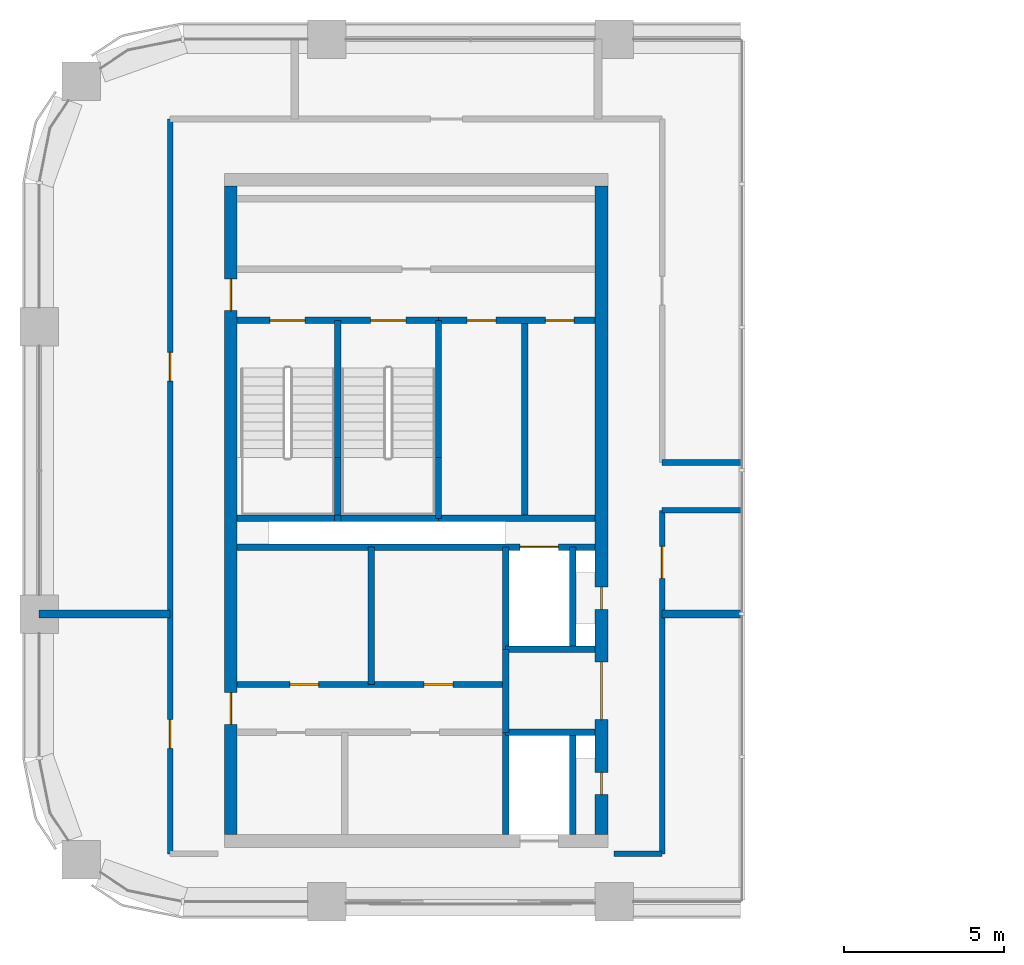
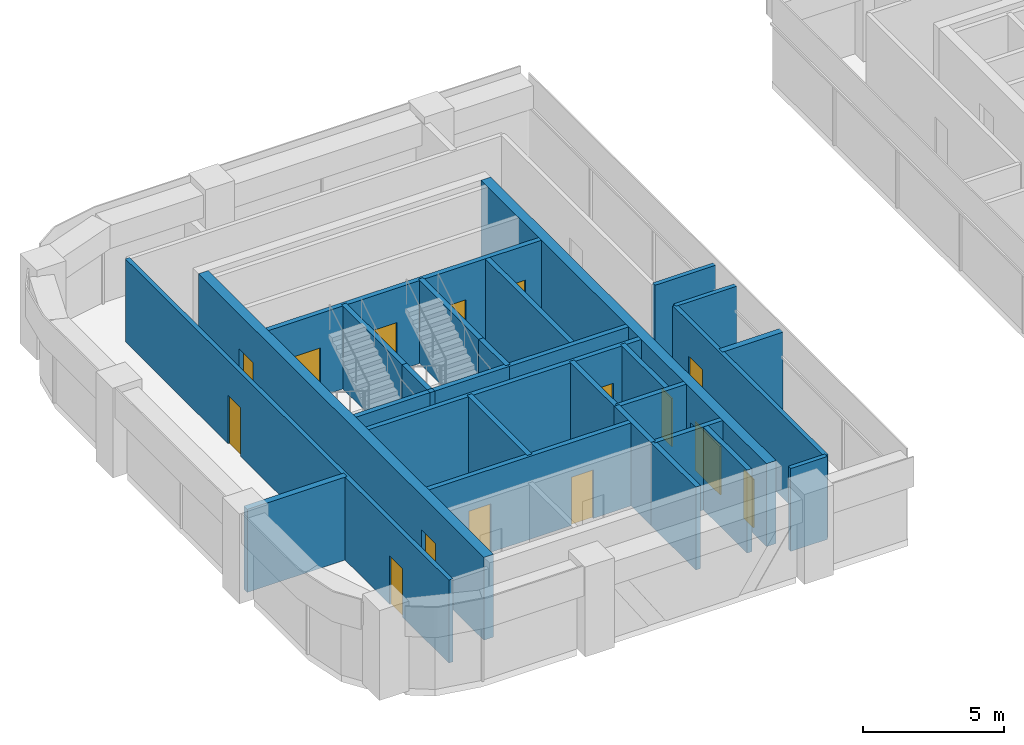
# One storey, part 6 of 11: 30 walls, 15 doors, 15 openings.
"""IFC4 building model written with IfcOpenShell, lengths in metres."""

from ifc_helpers import new_model, si_unit, direction, frame, frame_2d, origin, place, context, subcontext, project, spatial, rectangle, extrude, material, layer, layer_set, type_object, element, fill, save


model = new_model("IFC4")

# Units and contexts
model_context = context("Model", 3, precision=1e-05, world=origin(), true_north=direction((0.0, 1.0)))
body_context = subcontext(model_context, "Body", "Model", "MODEL_VIEW")
ifc_project = project(units=[si_unit("LENGTHUNIT", "METRE"), si_unit("AREAUNIT", "SQUARE_METRE"), si_unit("VOLUMEUNIT", "CUBIC_METRE"), si_unit("PLANEANGLEUNIT", "RADIAN"), si_unit("MASSUNIT", "GRAM", prefix="KILO")], contexts=[model_context])

# Site, building, storey
site_placement = place(None, origin())
site = spatial("IfcSite", under=ifc_project, at=site_placement, CompositionType="ELEMENT")
building_placement = place(site_placement, origin())
building = spatial("IfcBuilding", under=site, at=building_placement, Name="Tessera Arch", CompositionType="ELEMENT")
storey_placement = place(building_placement, frame((0.0, 0.0, 211.10009765625)))
storey = spatial("IfcBuildingStorey", under=building, at=storey_placement, Name="L50", CompositionType="ELEMENT", Elevation=211.10009765625)

# Walls
ifc_material_1 = material(Name="Gypsum board on steel stud", Category="steel")
ifc_layer_1 = layer(ifc_material_1, 0.125)
ifc_layer_set_1 = layer_set([ifc_layer_1], Name="Core partition 125 EI 60")
wall_type_1 = type_object("IfcWallType", Name="Core partition 125 EI 60", PredefinedType="PARTITIONING", material=ifc_layer_set_1)
wall_1_placement = place(storey_placement, frame((10.39990234375, 33.800048828125, 0.0), z_axis=(0.0, 0.0, 1.0), x_axis=(0.0, 1.0, 0.0)))
element("IfcWall", 1, at=wall_1_placement, inside=storey, type_object=wall_type_1, Name="L50 C2 partition wall 4", PredefinedType="PARTITIONING", context=body_context, shape_type="SweptSolid", body=[
    extrude(rectangle(XDim=4.300048828125, YDim=0.199951171875, at=frame_2d((2.14990234375, 0.0))), origin(), (0.0, 0.0, 1.0), 3.599853515625),
])
wall_2_placement = place(storey_placement, frame((14.60009765625, 32.300048828125, 0.0), z_axis=(0.0, 0.0, 1.0), x_axis=(0.0, 1.0, 0.0)))
element("IfcWall", 2, at=wall_2_placement, inside=storey, type_object=wall_type_1, Name="L50 C2 partition wall 7", PredefinedType="PARTITIONING", context=body_context, shape_type="SweptSolid", body=[
    extrude(rectangle(XDim=2.599853515625, YDim=0.199951171875, at=frame_2d((1.2998046875, 0.0))), origin(), (0.0, 0.0, 1.0), 3.599853515625),
])
wall_3_placement = place(storey_placement, frame((15.195068359375, 39.0, 0.0), z_axis=(0.0, 0.0, 1.0), x_axis=(0.0, 1.0, 0.0)))
element("IfcWall", 3, at=wall_3_placement, inside=storey, type_object=wall_type_1, Name="L50 C2 partition wall 10", PredefinedType="PARTITIONING", context=body_context, shape_type="SweptSolid", body=[
    extrude(rectangle(XDim=6.199951171875, YDim=0.199951171875, at=frame_2d((3.10009765625, 0.0))), origin(), (0.0, 0.0, 1.0), 3.599853515625),
])

# Wall, openings, doors
wall_4_placement = place(storey_placement, frame((6.199951171875, 33.800048828125, 0.0), z_axis=(0.0, 0.0, 1.0), x_axis=(1.0, 0.0, 0.0)))
wall_4 = element("IfcWall", 4, at=wall_4_placement, inside=storey, type_object=wall_type_1, Name="L50 C2 partition wall 15", PredefinedType="PARTITIONING", context=body_context, shape_type="SweptSolid", body=[
    extrude(rectangle(XDim=8.400146484375, YDim=0.199951171875, at=frame_2d((4.2001953125, 0.0))), origin(), (0.0, 0.0, 1.0), 3.599853515625),
])
opening_1_placement = place(wall_4_placement, frame((1.64990234375, 0.0, 0.0)))
opening_1 = element("IfcOpeningElement", 5, at=opening_1_placement, cuts=wall_4, Name="Opening L50-C34", PredefinedType="OPENING", context=body_context, shape_type="SweptSolid", body=[
    extrude(rectangle(XDim=0.89990234375, YDim=2.10009765625, at=frame_2d((0.449951171875, 1.050048828125))), frame((0.0, 0.10986328125, 0.0), z_axis=(0.0, -1.0, 0.0), x_axis=(1.0, 0.0, 0.0)), (0.0, 0.0, 1.0), 0.219970703125),
])
opening_2_placement = place(wall_4_placement, frame((5.85009765625, 0.0, 0.0)))
opening_2 = element("IfcOpeningElement", 6, at=opening_2_placement, cuts=wall_4, Name="Opening L50-C35", PredefinedType="OPENING", context=body_context, shape_type="SweptSolid", body=[
    extrude(rectangle(XDim=0.89990234375, YDim=2.10009765625, at=frame_2d((0.449951171875, 1.050048828125))), frame((0.0, 0.10986328125, 0.0), z_axis=(0.0, -1.0, 0.0), x_axis=(1.0, 0.0, 0.0)), (0.0, 0.0, 1.0), 0.219970703125),
])
ifc_material_2 = material(Name="Steel door leaf", Category="steel")
door_type_1 = type_object("IfcDoorType", Name="Store door FD30S 900 x 2100", OperationType="SINGLE_SWING_LEFT", PredefinedType="DOOR", material=ifc_material_2)
door_1_placement = place(opening_1_placement, origin())
door_1 = element("IfcDoor", 7, at=door_1_placement, inside=storey, type_object=door_type_1, Name="L50 C2 door 15 C34 type D09", OperationType="SINGLE_SWING_LEFT", OverallHeight=2.10009765625, OverallWidth=0.89990234375, PredefinedType="DOOR", context=body_context, shape_type="SweptSolid", body=[
    extrude(rectangle(XDim=0.89990234375, YDim=2.10009765625, at=frame_2d((0.449951171875, 1.050048828125))), frame((0.0, 0.02490234375, 0.0), z_axis=(0.0, -1.0, 0.0), x_axis=(1.0, 0.0, 0.0)), (0.0, 0.0, 1.0), 0.050048828125),
])
fill(opening_1, door_1)
door_2_placement = place(opening_2_placement, origin())
door_2 = element("IfcDoor", 8, at=door_2_placement, inside=storey, type_object=door_type_1, Name="L50 C2 door 16 C35 type D09", OperationType="SINGLE_SWING_RIGHT", OverallHeight=2.10009765625, OverallWidth=0.89990234375, PredefinedType="DOOR", context=body_context, shape_type="SweptSolid", body=[
    extrude(rectangle(XDim=0.89990234375, YDim=2.10009765625, at=frame_2d((0.449951171875, 1.050048828125))), frame((0.0, 0.02490234375, 0.0), z_axis=(0.0, -1.0, 0.0), x_axis=(1.0, 0.0, 0.0)), (0.0, 0.0, 1.0), 0.050048828125),
])
fill(opening_2, door_2)

wall_5_placement = place(storey_placement, frame((12.5, 45.199951171875, 0.0), z_axis=(0.0, 0.0, 1.0), x_axis=(1.0, 0.0, 0.0)))
wall_5 = element("IfcWall", 9, at=wall_5_placement, inside=storey, type_object=wall_type_1, Name="L50 C2 partition wall 22", PredefinedType="PARTITIONING", context=body_context, shape_type="SweptSolid", body=[
    extrude(rectangle(XDim=4.89990234375, YDim=0.199951171875, at=frame_2d((2.449951171875, 0.0))), origin(), (0.0, 0.0, 1.0), 3.599853515625),
])
opening_3_placement = place(wall_5_placement, frame((0.8974609375, 0.0, 0.0)))
opening_3 = element("IfcOpeningElement", 10, at=opening_3_placement, cuts=wall_5, Name="Opening L50-C30", PredefinedType="OPENING", context=body_context, shape_type="SweptSolid", body=[
    extrude(rectangle(XDim=0.89990234375, YDim=2.10009765625, at=frame_2d((0.449951171875, 1.050048828125))), frame((0.0, 0.10986328125, 0.0), z_axis=(0.0, -1.0, 0.0), x_axis=(1.0, 0.0, 0.0)), (0.0, 0.0, 1.0), 0.219970703125),
])
opening_4_placement = place(wall_5_placement, frame((3.347412109375, 0.0, 0.0)))
opening_4 = element("IfcOpeningElement", 11, at=opening_4_placement, cuts=wall_5, Name="Opening L50-C31", PredefinedType="OPENING", context=body_context, shape_type="SweptSolid", body=[
    extrude(rectangle(XDim=0.89990234375, YDim=2.10009765625, at=frame_2d((0.449951171875, 1.050048828125))), frame((0.0, 0.10986328125, 0.0), z_axis=(0.0, -1.0, 0.0), x_axis=(1.0, 0.0, 0.0)), (0.0, 0.0, 1.0), 0.219970703125),
])
door_3_placement = place(opening_3_placement, origin())
door_3 = element("IfcDoor", 12, at=door_3_placement, inside=storey, type_object=door_type_1, Name="L50 C2 door 11 C30 type D09", OperationType="SINGLE_SWING_LEFT", OverallHeight=2.10009765625, OverallWidth=0.89990234375, PredefinedType="DOOR", context=body_context, shape_type="SweptSolid", body=[
    extrude(rectangle(XDim=0.89990234375, YDim=2.10009765625, at=frame_2d((0.449951171875, 1.050048828125))), frame((0.0, 0.02490234375, 0.0), z_axis=(0.0, -1.0, 0.0), x_axis=(1.0, 0.0, 0.0)), (0.0, 0.0, 1.0), 0.050048828125),
])
fill(opening_3, door_3)
door_4_placement = place(opening_4_placement, origin())
door_4 = element("IfcDoor", 13, at=door_4_placement, inside=storey, type_object=door_type_1, Name="L50 C2 door 12 C31 type D09", OperationType="SINGLE_SWING_RIGHT", OverallHeight=2.10009765625, OverallWidth=0.89990234375, PredefinedType="DOOR", context=body_context, shape_type="SweptSolid", body=[
    extrude(rectangle(XDim=0.89990234375, YDim=2.10009765625, at=frame_2d((0.449951171875, 1.050048828125))), frame((0.0, 0.02490234375, 0.0), z_axis=(0.0, -1.0, 0.0), x_axis=(1.0, 0.0, 0.0)), (0.0, 0.0, 1.0), 0.050048828125),
])
fill(opening_4, door_4)

ifc_material_3 = material(Name="Concrete C50/60", Category="concrete")
ifc_layer_2 = layer(ifc_material_3, 0.39990234375)
ifc_layer_set_2 = layer_set([ifc_layer_2], Name="Core shell wall 400 C50-60")
wall_type_2 = type_object("IfcWallType", Name="Core shell wall 400 C50-60", PredefinedType="SHEAR", material=ifc_layer_set_2)
wall_6_placement = place(storey_placement, frame((6.0, 29.10009765625, 0.0), z_axis=(0.0, 0.0, 1.0), x_axis=(0.0, 1.0, 0.0)))
wall_6 = element("IfcWall", 14, at=wall_6_placement, inside=storey, type_object=wall_type_2, Name="L50 C2 core wall W", PredefinedType="SHEAR", context=body_context, shape_type="SweptSolid", body=[
    extrude(rectangle(XDim=20.2998046875, YDim=0.39990234375, at=frame_2d((10.14990234375, 0.0))), origin(), (0.0, 0.0, 1.0), 3.599853515625),
])
opening_5_placement = place(wall_6_placement, frame((3.449951171875, 0.0, 0.0)))
opening_5 = element("IfcOpeningElement", 15, at=opening_5_placement, cuts=wall_6, Name="Opening L50-C27", PredefinedType="OPENING", context=body_context, shape_type="SweptSolid", body=[
    extrude(rectangle(XDim=1.0, YDim=2.10009765625, at=frame_2d((0.5, 1.050048828125))), frame((0.0, 0.2099609375, 0.0), z_axis=(0.0, -1.0, 0.0), x_axis=(1.0, 0.0, 0.0)), (0.0, 0.0, 1.0), 0.419921875),
])
opening_6_placement = place(wall_6_placement, frame((16.39990234375, 0.0, 0.0)))
opening_6 = element("IfcOpeningElement", 16, at=opening_6_placement, cuts=wall_6, Name="Opening L50-C28", PredefinedType="OPENING", context=body_context, shape_type="SweptSolid", body=[
    extrude(rectangle(XDim=1.0, YDim=2.10009765625, at=frame_2d((0.5, 1.050048828125))), frame((0.0, 0.2099609375, 0.0), z_axis=(0.0, -1.0, 0.0), x_axis=(1.0, 0.0, 0.0)), (0.0, 0.0, 1.0), 0.419921875),
])
ifc_material_4 = material(Name="Steel door leaf", Category="steel")
door_type_2 = type_object("IfcDoorType", Name="Corridor door FD60 1000 x 2100", OperationType="SINGLE_SWING_LEFT", PredefinedType="DOOR", material=ifc_material_4)
door_5_placement = place(opening_5_placement, origin())
door_5 = element("IfcDoor", 17, at=door_5_placement, inside=storey, type_object=door_type_2, Name="L50 C2 door 8 C27 type D12", OperationType="SINGLE_SWING_LEFT", OverallHeight=2.10009765625, OverallWidth=1.0, PredefinedType="DOOR", context=body_context, shape_type="SweptSolid", body=[
    extrude(rectangle(XDim=1.0, YDim=2.10009765625, at=frame_2d((0.5, 1.050048828125))), frame((0.0, 0.02490234375, 0.0), z_axis=(0.0, -1.0, 0.0), x_axis=(1.0, 0.0, 0.0)), (0.0, 0.0, 1.0), 0.050048828125),
])
fill(opening_5, door_5)
door_6_placement = place(opening_6_placement, origin())
door_6 = element("IfcDoor", 18, at=door_6_placement, inside=storey, type_object=door_type_2, Name="L50 C2 door 9 C28 type D12", OperationType="SINGLE_SWING_RIGHT", OverallHeight=2.10009765625, OverallWidth=1.0, PredefinedType="DOOR", context=body_context, shape_type="SweptSolid", body=[
    extrude(rectangle(XDim=1.0, YDim=2.10009765625, at=frame_2d((0.5, 1.050048828125))), frame((0.0, 0.02490234375, 0.0), z_axis=(0.0, -1.0, 0.0), x_axis=(1.0, 0.0, 0.0)), (0.0, 0.0, 1.0), 0.050048828125),
])
fill(opening_6, door_6)

wall_7_placement = place(storey_placement, frame((17.60009765625, 29.10009765625, 0.0), z_axis=(0.0, 0.0, 1.0), x_axis=(0.0, 1.0, 0.0)))
wall_7 = element("IfcWall", 19, at=wall_7_placement, inside=storey, type_object=wall_type_2, Name="L50 C2 core wall E", PredefinedType="SHEAR", context=body_context, shape_type="SweptSolid", body=[
    extrude(rectangle(XDim=20.2998046875, YDim=0.39990234375, at=frame_2d((10.14990234375, 0.0))), origin(), (0.0, 0.0, 1.0), 3.599853515625),
])
opening_7_placement = place(wall_7_placement, frame((1.25, 0.0, 0.0)))
opening_7 = element("IfcOpeningElement", 20, at=opening_7_placement, cuts=wall_7, Name="Opening L50-C22", PredefinedType="OPENING", context=body_context, shape_type="SweptSolid", body=[
    extrude(rectangle(XDim=0.699951171875, YDim=2.10009765625, at=frame_2d((0.35009765625, 1.050048828125))), frame((0.0, 0.2099609375, 0.0), z_axis=(0.0, -1.0, 0.0), x_axis=(1.0, 0.0, 0.0)), (0.0, 0.0, 1.0), 0.419921875),
])
opening_8_placement = place(wall_7_placement, frame((7.050048828125, 0.0, 0.0)))
opening_8 = element("IfcOpeningElement", 21, at=opening_8_placement, cuts=wall_7, Name="Opening L50-C23", PredefinedType="OPENING", context=body_context, shape_type="SweptSolid", body=[
    extrude(rectangle(XDim=0.699951171875, YDim=2.10009765625, at=frame_2d((0.35009765625, 1.050048828125))), frame((0.0, 0.2099609375, 0.0), z_axis=(0.0, -1.0, 0.0), x_axis=(1.0, 0.0, 0.0)), (0.0, 0.0, 1.0), 0.419921875),
])
opening_9_placement = place(wall_7_placement, frame((3.60009765625, 0.0, 0.0)))
opening_9 = element("IfcOpeningElement", 22, at=opening_9_placement, cuts=wall_7, Name="Opening L50-C26", PredefinedType="OPENING", context=body_context, shape_type="SweptSolid", body=[
    extrude(rectangle(XDim=1.800048828125, YDim=2.10009765625, at=frame_2d((0.89990234375, 1.050048828125))), frame((0.0, 0.2099609375, 0.0), z_axis=(0.0, -1.0, 0.0), x_axis=(1.0, 0.0, 0.0)), (0.0, 0.0, 1.0), 0.419921875),
])
ifc_material_5 = material(Name="Glazed steel door leaf", Category="steel")
door_type_3 = type_object("IfcDoorType", Name="Lobby double door FD30S 1800 x 2100", OperationType="DOUBLE_DOOR_SINGLE_SWING", PredefinedType="DOOR", material=ifc_material_5)
door_7_placement = place(opening_9_placement, origin())
door_7 = element("IfcDoor", 23, at=door_7_placement, inside=storey, type_object=door_type_3, Name="L50 C2 door 7 C26 type D06", OperationType="DOUBLE_DOOR_SINGLE_SWING", OverallHeight=2.10009765625, OverallWidth=1.800048828125, PredefinedType="DOOR", context=body_context, shape_type="SweptSolid", body=[
    extrude(rectangle(XDim=1.800048828125, YDim=2.10009765625, at=frame_2d((0.89990234375, 1.050048828125))), frame((0.0, 0.02490234375, 0.0), z_axis=(0.0, -1.0, 0.0), x_axis=(1.0, 0.0, 0.0)), (0.0, 0.0, 1.0), 0.050048828125),
])
fill(opening_9, door_7)
ifc_material_6 = material(Name="Steel door leaf", Category="steel")
door_type_4 = type_object("IfcDoorType", Name="Service shaft door FD60 700 x 2100", OperationType="SINGLE_SWING_LEFT", PredefinedType="DOOR", material=ifc_material_6)
door_8_placement = place(opening_7_placement, origin())
door_8 = element("IfcDoor", 24, at=door_8_placement, inside=storey, type_object=door_type_4, Name="L50 C2 door 3 C22 type D07", OperationType="SINGLE_SWING_LEFT", OverallHeight=2.10009765625, OverallWidth=0.699951171875, PredefinedType="DOOR", context=body_context, shape_type="SweptSolid", body=[
    extrude(rectangle(XDim=0.699951171875, YDim=2.10009765625, at=frame_2d((0.35009765625, 1.050048828125))), frame((0.0, 0.02490234375, 0.0), z_axis=(0.0, -1.0, 0.0), x_axis=(1.0, 0.0, 0.0)), (0.0, 0.0, 1.0), 0.050048828125),
])
fill(opening_7, door_8)
door_9_placement = place(opening_8_placement, origin())
door_9 = element("IfcDoor", 25, at=door_9_placement, inside=storey, type_object=door_type_4, Name="L50 C2 door 4 C23 type D07", OperationType="SINGLE_SWING_LEFT", OverallHeight=2.10009765625, OverallWidth=0.699951171875, PredefinedType="DOOR", context=body_context, shape_type="SweptSolid", body=[
    extrude(rectangle(XDim=0.699951171875, YDim=2.10009765625, at=frame_2d((0.35009765625, 1.050048828125))), frame((0.0, 0.02490234375, 0.0), z_axis=(0.0, -1.0, 0.0), x_axis=(1.0, 0.0, 0.0)), (0.0, 0.0, 1.0), 0.050048828125),
])
fill(opening_8, door_9)

# Walls
ifc_material_7 = material(Name="Gypsum board on deep steel stud with mineral wool", Category="steel")
ifc_layer_3 = layer(ifc_material_7, 0.175048828125)
ifc_layer_set_3 = layer_set([ifc_layer_3], Name="Corridor wall 175 EI 60")
wall_type_3 = type_object("IfcWallType", Name="Corridor wall 175 EI 60", PredefinedType="PARTITIONING", material=ifc_layer_set_3)
wall_8_placement = place(storey_placement, frame((18.0, 28.5, 0.0), z_axis=(0.0, 0.0, 1.0), x_axis=(1.0, 0.0, 0.0)))
element("IfcWall", 26, at=wall_8_placement, inside=storey, type_object=wall_type_3, Name="L50 partition 2", PredefinedType="PARTITIONING", context=body_context, shape_type="SweptSolid", body=[
    extrude(rectangle(XDim=1.5, YDim=0.175048828125, at=frame_2d((0.75, 0.0))), origin(), (0.0, 0.0, 1.0), 3.599853515625),
])
for number, where, z_axis, x_axis, name in (
    (27, (19.5, 39.25, 0.0), (0.0, 0.0, 1.0), (1.0, 0.0, 0.0), "L50 partition 5"),
    (28, (19.5, 40.75, 0.0), (0.0, 0.0, 1.0), (1.0, 0.0, 0.0), "L50 partition 7"),
):
    element("IfcWall", number, at=place(storey_placement, frame(where, z_axis=z_axis, x_axis=x_axis)), inside=storey, type_object=wall_type_3, Name=name, PredefinedType="PARTITIONING", context=body_context, shape_type="SweptSolid", body=[
        extrude(rectangle(XDim=2.5, YDim=0.175048828125, at=frame_2d((1.25, 0.0))), origin(), (0.0, 0.0, 1.0), 3.599853515625),
    ])

# Wall, openings, doors
wall_9_placement = place(storey_placement, frame((4.10009765625, 28.5, 0.0), z_axis=(0.0, 0.0, 1.0), x_axis=(0.0, 1.0, 0.0)))
wall_9 = element("IfcWall", 29, at=wall_9_placement, inside=storey, type_object=wall_type_3, Name="L50 partition 11", PredefinedType="PARTITIONING", context=body_context, shape_type="SweptSolid", body=[
    extrude(rectangle(XDim=23.0, YDim=0.175048828125, at=frame_2d((11.5, 0.0))), origin(), (0.0, 0.0, 1.0), 3.599853515625),
])
opening_10_placement = place(wall_9_placement, frame((3.300048828125, 0.0, 0.0)))
opening_10 = element("IfcOpeningElement", 30, at=opening_10_placement, cuts=wall_9, Name="Opening L50-D001", PredefinedType="OPENING", context=body_context, shape_type="SweptSolid", body=[
    extrude(rectangle(XDim=0.89990234375, YDim=2.10009765625, at=frame_2d((0.449951171875, 1.050048828125))), frame((0.0, 0.097412109375, 0.0), z_axis=(0.0, -1.0, 0.0), x_axis=(1.0, 0.0, 0.0)), (0.0, 0.0, 1.0), 0.195068359375),
])
opening_11_placement = place(wall_9_placement, frame((14.800048828125, 0.0, 0.0)))
opening_11 = element("IfcOpeningElement", 31, at=opening_11_placement, cuts=wall_9, Name="Opening L50-D006", PredefinedType="OPENING", context=body_context, shape_type="SweptSolid", body=[
    extrude(rectangle(XDim=0.89990234375, YDim=2.10009765625, at=frame_2d((0.449951171875, 1.050048828125))), frame((0.0, 0.097412109375, 0.0), z_axis=(0.0, -1.0, 0.0), x_axis=(1.0, 0.0, 0.0)), (0.0, 0.0, 1.0), 0.195068359375),
])
ifc_material_8 = material(Name="Timber door leaf", Category="wood")
door_type_5 = type_object("IfcDoorType", Name="Room door 900 x 2100", OperationType="SINGLE_SWING_LEFT", PredefinedType="DOOR", material=ifc_material_8)
door_10_placement = place(opening_10_placement, origin())
door_10 = element("IfcDoor", 32, at=door_10_placement, inside=storey, type_object=door_type_5, Name="L50 door D001 type D01", OperationType="SINGLE_SWING_LEFT", OverallHeight=2.10009765625, OverallWidth=0.89990234375, PredefinedType="DOOR", context=body_context, shape_type="SweptSolid", body=[
    extrude(rectangle(XDim=0.89990234375, YDim=2.10009765625, at=frame_2d((0.449951171875, 1.050048828125))), frame((0.0, 0.02490234375, 0.0), z_axis=(0.0, -1.0, 0.0), x_axis=(1.0, 0.0, 0.0)), (0.0, 0.0, 1.0), 0.050048828125),
])
fill(opening_10, door_10)
door_11_placement = place(opening_11_placement, origin())
door_11 = element("IfcDoor", 33, at=door_11_placement, inside=storey, type_object=door_type_5, Name="L50 door D006 type D01", OperationType="SINGLE_SWING_RIGHT", OverallHeight=2.10009765625, OverallWidth=0.89990234375, PredefinedType="DOOR", context=body_context, shape_type="SweptSolid", body=[
    extrude(rectangle(XDim=0.89990234375, YDim=2.10009765625, at=frame_2d((0.449951171875, 1.050048828125))), frame((0.0, 0.02490234375, 0.0), z_axis=(0.0, -1.0, 0.0), x_axis=(1.0, 0.0, 0.0)), (0.0, 0.0, 1.0), 0.050048828125),
])
fill(opening_11, door_11)

# Wall, opening, door
wall_10_placement = place(storey_placement, frame((19.5, 28.5, 0.0), z_axis=(0.0, 0.0, 1.0), x_axis=(0.0, 1.0, 0.0)))
wall_10 = element("IfcWall", 34, at=wall_10_placement, inside=storey, type_object=wall_type_3, Name="L50 partition 12", PredefinedType="PARTITIONING", context=body_context, shape_type="SweptSolid", body=[
    extrude(rectangle(XDim=10.75, YDim=0.175048828125, at=frame_2d((5.375, 0.0))), origin(), (0.0, 0.0, 1.0), 3.599853515625),
])
opening_12_placement = place(wall_10_placement, frame((8.625, 0.0, 0.0)))
opening_12 = element("IfcOpeningElement", 35, at=opening_12_placement, cuts=wall_10, Name="Opening L50-D003", PredefinedType="OPENING", context=body_context, shape_type="SweptSolid", body=[
    extrude(rectangle(XDim=1.0, YDim=2.10009765625, at=frame_2d((0.5, 1.050048828125))), frame((0.0, 0.097412109375, 0.0), z_axis=(0.0, -1.0, 0.0), x_axis=(1.0, 0.0, 0.0)), (0.0, 0.0, 1.0), 0.195068359375),
])
ifc_material_9 = material(Name="Fire-rated door leaf")
door_type_6 = type_object("IfcDoorType", Name="Entrance door FD30S 1000 x 2100", OperationType="SINGLE_SWING_LEFT", PredefinedType="DOOR", material=ifc_material_9)
door_12_placement = place(opening_12_placement, origin())
door_12 = element("IfcDoor", 36, at=door_12_placement, inside=storey, type_object=door_type_6, Name="L50 door D003 type D03", OperationType="SINGLE_SWING_RIGHT", OverallHeight=2.10009765625, OverallWidth=1.0, PredefinedType="DOOR", context=body_context, shape_type="SweptSolid", body=[
    extrude(rectangle(XDim=1.0, YDim=2.10009765625, at=frame_2d((0.5, 1.050048828125))), frame((0.0, 0.02490234375, 0.0), z_axis=(0.0, -1.0, 0.0), x_axis=(1.0, 0.0, 0.0)), (0.0, 0.0, 1.0), 0.050048828125),
])
fill(opening_12, door_12)

# Walls
ifc_material_10 = material(Name="Double gypsum board on twin steel stud with acoustic mineral wool", Category="steel")
ifc_layer_4 = layer(ifc_material_10, 0.25)
ifc_layer_set_4 = layer_set([ifc_layer_4], Name="Party wall 250 EI 60")
wall_type_4 = type_object("IfcWallType", Name="Party wall 250 EI 60", PredefinedType="PARTITIONING", material=ifc_layer_set_4)
wall_11_placement = place(storey_placement, frame((0.0, 36.0, 0.0), z_axis=(0.0, 0.0, 1.0), x_axis=(1.0, 0.0, 0.0)))
element("IfcWall", 37, at=wall_11_placement, inside=storey, type_object=wall_type_4, Name="L50 partition 17", PredefinedType="PARTITIONING", context=body_context, shape_type="SweptSolid", body=[
    extrude(rectangle(XDim=4.10009765625, YDim=0.25, at=frame_2d((2.050048828125, 0.0))), origin(), (0.0, 0.0, 1.0), 3.599853515625),
])
wall_12_placement = place(storey_placement, frame((19.5, 36.0, 0.0), z_axis=(0.0, 0.0, 1.0), x_axis=(1.0, 0.0, 0.0)))
element("IfcWall", 38, at=wall_12_placement, inside=storey, type_object=wall_type_4, Name="L50 partition 18", PredefinedType="PARTITIONING", context=body_context, shape_type="SweptSolid", body=[
    extrude(rectangle(XDim=2.5, YDim=0.25, at=frame_2d((1.25, 0.0))), origin(), (0.0, 0.0, 1.0), 3.599853515625),
])
ifc_material_11 = material(Name="Concrete C40/50", Category="concrete")
ifc_layer_5 = layer(ifc_material_11, 0.199951171875)
ifc_layer_set_5 = layer_set([ifc_layer_5], Name="Shaft wall 200 EI 120")
wall_type_5 = type_object("IfcWallType", Name="Shaft wall 200 EI 120", PredefinedType="SOLIDWALL", material=ifc_layer_set_5)
wall_13_placement = place(storey_placement, frame((14.60009765625, 29.10009765625, 0.0), z_axis=(0.0, 0.0, 1.0), x_axis=(0.0, 1.0, 0.0)))
element("IfcWall", 39, at=wall_13_placement, inside=storey, type_object=wall_type_5, Name="L50 C2 shaft wall 8", PredefinedType="SOLIDWALL", context=body_context, shape_type="SweptSolid", body=[
    extrude(rectangle(XDim=3.199951171875, YDim=0.199951171875, at=frame_2d((1.60009765625, 0.0))), origin(), (0.0, 0.0, 1.0), 3.599853515625),
])
wall_14_placement = place(storey_placement, frame((14.60009765625, 34.89990234375, 0.0), z_axis=(0.0, 0.0, 1.0), x_axis=(0.0, 1.0, 0.0)))
element("IfcWall", 40, at=wall_14_placement, inside=storey, type_object=wall_type_5, Name="L50 C2 shaft wall 9", PredefinedType="SOLIDWALL", context=body_context, shape_type="SweptSolid", body=[
    extrude(rectangle(XDim=3.2001953125, YDim=0.199951171875, at=frame_2d((1.60009765625, 0.0))), origin(), (0.0, 0.0, 1.0), 3.599853515625),
])
wall_15_placement = place(storey_placement, frame((16.699951171875, 29.10009765625, 0.0), z_axis=(0.0, 0.0, 1.0), x_axis=(0.0, 1.0, 0.0)))
element("IfcWall", 41, at=wall_15_placement, inside=storey, type_object=wall_type_5, Name="L50 C2 shaft wall 11", PredefinedType="SOLIDWALL", context=body_context, shape_type="SweptSolid", body=[
    extrude(rectangle(XDim=3.199951171875, YDim=0.199951171875, at=frame_2d((1.60009765625, 0.0))), origin(), (0.0, 0.0, 1.0), 3.599853515625),
])
wall_16_placement = place(storey_placement, frame((16.699951171875, 34.89990234375, 0.0), z_axis=(0.0, 0.0, 1.0), x_axis=(0.0, 1.0, 0.0)))
element("IfcWall", 42, at=wall_16_placement, inside=storey, type_object=wall_type_5, Name="L50 C2 shaft wall 12", PredefinedType="SOLIDWALL", context=body_context, shape_type="SweptSolid", body=[
    extrude(rectangle(XDim=3.2001953125, YDim=0.199951171875, at=frame_2d((1.60009765625, 0.0))), origin(), (0.0, 0.0, 1.0), 3.599853515625),
])
for number, where, z_axis, x_axis, name in (
    (43, (14.60009765625, 32.300048828125, 0.0), (0.0, 0.0, 1.0), (1.0, 0.0, 0.0), "L50 C2 shaft wall 14"),
    (44, (14.60009765625, 34.89990234375, 0.0), (0.0, 0.0, 1.0), (1.0, 0.0, 0.0), "L50 C2 shaft wall 16"),
):
    element("IfcWall", number, at=place(storey_placement, frame(where, z_axis=z_axis, x_axis=x_axis)), inside=storey, type_object=wall_type_5, Name=name, PredefinedType="SOLIDWALL", context=body_context, shape_type="SweptSolid", body=[
        extrude(rectangle(XDim=2.7998046875, YDim=0.199951171875, at=frame_2d((1.39990234375, 0.0))), origin(), (0.0, 0.0, 1.0), 3.599853515625),
    ])

# Wall, opening, door
wall_17_placement = place(storey_placement, frame((6.199951171875, 38.10009765625, 0.0), z_axis=(0.0, 0.0, 1.0), x_axis=(1.0, 0.0, 0.0)))
wall_17 = element("IfcWall", 45, at=wall_17_placement, inside=storey, type_object=wall_type_5, Name="L50 C2 shaft wall 17", PredefinedType="SOLIDWALL", context=body_context, shape_type="SweptSolid", body=[
    extrude(rectangle(XDim=11.199951171875, YDim=0.199951171875, at=frame_2d((5.60009765625, 0.0))), origin(), (0.0, 0.0, 1.0), 3.599853515625),
])
opening_13_placement = place(wall_17_placement, frame((8.85009765625, 0.0, 0.0)))
opening_13 = element("IfcOpeningElement", 46, at=opening_13_placement, cuts=wall_17, Name="Opening L50-C21", PredefinedType="OPENING", context=body_context, shape_type="SweptSolid", body=[
    extrude(rectangle(XDim=1.199951171875, YDim=2.10009765625, at=frame_2d((0.60009765625, 1.050048828125))), frame((0.0, 0.10986328125, 0.0), z_axis=(0.0, -1.0, 0.0), x_axis=(1.0, 0.0, 0.0)), (0.0, 0.0, 1.0), 0.219970703125),
])
ifc_material_12 = material(Name="Stainless steel AISI 304", Category="steel")
door_type_7 = type_object("IfcDoorType", Name="Sliding landing door 1200 x 2100", OperationType="SLIDING_TO_LEFT", PredefinedType="DOOR", material=ifc_material_12)
door_13_placement = place(opening_13_placement, origin())
door_13 = element("IfcDoor", 47, at=door_13_placement, inside=storey, type_object=door_type_7, Name="L50 HR8 lift landing door C21 type LD", OperationType="SLIDING_TO_LEFT", OverallHeight=2.10009765625, OverallWidth=1.199951171875, PredefinedType="DOOR", context=body_context, shape_type="SweptSolid", body=[
    extrude(rectangle(XDim=1.199951171875, YDim=2.10009765625, at=frame_2d((0.60009765625, 1.050048828125))), frame((0.0, 0.02490234375, 0.0), z_axis=(0.0, -1.0, 0.0), x_axis=(1.0, 0.0, 0.0)), (0.0, 0.0, 1.0), 0.050048828125),
])
fill(opening_13, door_13)

# Walls
wall_18_placement = place(storey_placement, frame((12.5, 39.0, 0.0), z_axis=(0.0, 0.0, 1.0), x_axis=(1.0, 0.0, 0.0)))
element("IfcWall", 48, at=wall_18_placement, inside=storey, type_object=wall_type_5, Name="L50 C2 shaft wall 18", PredefinedType="SOLIDWALL", context=body_context, shape_type="SweptSolid", body=[
    extrude(rectangle(XDim=4.89990234375, YDim=0.199951171875, at=frame_2d((2.449951171875, 0.0))), origin(), (0.0, 0.0, 1.0), 3.599853515625),
])
ifc_material_13 = material(Name="Concrete C40/50", Category="concrete")
ifc_layer_6 = layer(ifc_material_13, 0.199951171875)
ifc_layer_set_6 = layer_set([ifc_layer_6], Name="Stair well wall 200 REI 180")
wall_type_6 = type_object("IfcWallType", Name="Stair well wall 200 REI 180", PredefinedType="SOLIDWALL", material=ifc_layer_set_6)
wall_19_placement = place(storey_placement, frame((9.35009765625, 39.0, 0.0), z_axis=(0.0, 0.0, 1.0), x_axis=(0.0, 1.0, 0.0)))
element("IfcWall", 49, at=wall_19_placement, inside=storey, type_object=wall_type_6, Name="L50 C2 shaft wall 1", PredefinedType="SOLIDWALL", context=body_context, shape_type="SweptSolid", body=[
    extrude(rectangle(XDim=1.89990234375, YDim=0.199951171875, at=frame_2d((0.949951171875, 0.0))), origin(), (0.0, 0.0, 1.0), 3.599853515625),
])
wall_20_placement = place(storey_placement, frame((9.35009765625, 40.89990234375, 0.0), z_axis=(0.0, 0.0, 1.0), x_axis=(0.0, 1.0, 0.0)))
element("IfcWall", 50, at=wall_20_placement, inside=storey, type_object=wall_type_6, Name="L50 C2 shaft wall 2", PredefinedType="SOLIDWALL", context=body_context, shape_type="SweptSolid", body=[
    extrude(rectangle(XDim=4.300048828125, YDim=0.199951171875, at=frame_2d((2.14990234375, 0.0))), origin(), (0.0, 0.0, 1.0), 3.599853515625),
])
wall_21_placement = place(storey_placement, frame((12.5, 39.0, 0.0), z_axis=(0.0, 0.0, 1.0), x_axis=(0.0, 1.0, 0.0)))
element("IfcWall", 51, at=wall_21_placement, inside=storey, type_object=wall_type_6, Name="L50 C2 shaft wall 5", PredefinedType="SOLIDWALL", context=body_context, shape_type="SweptSolid", body=[
    extrude(rectangle(XDim=1.89990234375, YDim=0.199951171875, at=frame_2d((0.949951171875, 0.0))), origin(), (0.0, 0.0, 1.0), 3.599853515625),
])
wall_22_placement = place(storey_placement, frame((12.5, 40.89990234375, 0.0), z_axis=(0.0, 0.0, 1.0), x_axis=(0.0, 1.0, 0.0)))
element("IfcWall", 52, at=wall_22_placement, inside=storey, type_object=wall_type_6, Name="L50 C2 shaft wall 6", PredefinedType="SOLIDWALL", context=body_context, shape_type="SweptSolid", body=[
    extrude(rectangle(XDim=4.300048828125, YDim=0.199951171875, at=frame_2d((2.14990234375, 0.0))), origin(), (0.0, 0.0, 1.0), 3.599853515625),
])
wall_23_placement = place(storey_placement, frame((6.199951171875, 39.0, 0.0), z_axis=(0.0, 0.0, 1.0), x_axis=(1.0, 0.0, 0.0)))
element("IfcWall", 53, at=wall_23_placement, inside=storey, type_object=wall_type_6, Name="L50 C2 shaft wall 19", PredefinedType="SOLIDWALL", context=body_context, shape_type="SweptSolid", body=[
    extrude(rectangle(XDim=3.050048828125, YDim=0.199951171875, at=frame_2d((1.52490234375, 0.0))), origin(), (0.0, 0.0, 1.0), 3.599853515625),
])
wall_24_placement = place(storey_placement, frame((9.25, 39.0, 0.0), z_axis=(0.0, 0.0, 1.0), x_axis=(1.0, 0.0, 0.0)))
element("IfcWall", 54, at=wall_24_placement, inside=storey, type_object=wall_type_6, Name="L50 C2 shaft wall 20", PredefinedType="SOLIDWALL", context=body_context, shape_type="SweptSolid", body=[
    extrude(rectangle(XDim=0.199951171875, YDim=0.199951171875, at=frame_2d((0.10009765625, 0.0))), origin(), (0.0, 0.0, 1.0), 3.599853515625),
])
wall_25_placement = place(storey_placement, frame((9.449951171875, 39.0, 0.0), z_axis=(0.0, 0.0, 1.0), x_axis=(1.0, 0.0, 0.0)))
element("IfcWall", 55, at=wall_25_placement, inside=storey, type_object=wall_type_6, Name="L50 C2 shaft wall 21", PredefinedType="SOLIDWALL", context=body_context, shape_type="SweptSolid", body=[
    extrude(rectangle(XDim=3.050048828125, YDim=0.199951171875, at=frame_2d((1.52490234375, 0.0))), origin(), (0.0, 0.0, 1.0), 3.599853515625),
])

# Wall, openings, doors
wall_26_placement = place(storey_placement, frame((6.199951171875, 45.199951171875, 0.0), z_axis=(0.0, 0.0, 1.0), x_axis=(1.0, 0.0, 0.0)))
wall_26 = element("IfcWall", 56, at=wall_26_placement, inside=storey, type_object=wall_type_6, Name="L50 C2 shaft wall 23", PredefinedType="SOLIDWALL", context=body_context, shape_type="SweptSolid", body=[
    extrude(rectangle(XDim=6.300048828125, YDim=0.199951171875, at=frame_2d((3.14990234375, 0.0))), origin(), (0.0, 0.0, 1.0), 3.599853515625),
])
opening_14_placement = place(wall_26_placement, frame((1.02490234375, 0.0, 0.0)))
opening_14 = element("IfcOpeningElement", 57, at=opening_14_placement, cuts=wall_26, Name="Opening L50-C24", PredefinedType="OPENING", context=body_context, shape_type="SweptSolid", body=[
    extrude(rectangle(XDim=1.10009765625, YDim=2.10009765625, at=frame_2d((0.550048828125, 1.050048828125))), frame((0.0, 0.10986328125, 0.0), z_axis=(0.0, -1.0, 0.0), x_axis=(1.0, 0.0, 0.0)), (0.0, 0.0, 1.0), 0.219970703125),
])
opening_15_placement = place(wall_26_placement, frame((4.175048828125, 0.0, 0.0)))
opening_15 = element("IfcOpeningElement", 58, at=opening_15_placement, cuts=wall_26, Name="Opening L50-C25", PredefinedType="OPENING", context=body_context, shape_type="SweptSolid", body=[
    extrude(rectangle(XDim=1.10009765625, YDim=2.10009765625, at=frame_2d((0.550048828125, 1.050048828125))), frame((0.0, 0.10986328125, 0.0), z_axis=(0.0, -1.0, 0.0), x_axis=(1.0, 0.0, 0.0)), (0.0, 0.0, 1.0), 0.219970703125),
])
ifc_material_14 = material(Name="Steel door leaf", Category="steel")
door_type_8 = type_object("IfcDoorType", Name="Stair door FD60 1100 x 2100", OperationType="SINGLE_SWING_LEFT", PredefinedType="DOOR", material=ifc_material_14)
door_14_placement = place(opening_14_placement, origin())
door_14 = element("IfcDoor", 59, at=door_14_placement, inside=storey, type_object=door_type_8, Name="L50 C2 door 5 C24 type D05", OperationType="SINGLE_SWING_LEFT", OverallHeight=2.10009765625, OverallWidth=1.10009765625, PredefinedType="DOOR", context=body_context, shape_type="SweptSolid", body=[
    extrude(rectangle(XDim=1.10009765625, YDim=2.10009765625, at=frame_2d((0.550048828125, 1.050048828125))), frame((0.0, 0.02490234375, 0.0), z_axis=(0.0, -1.0, 0.0), x_axis=(1.0, 0.0, 0.0)), (0.0, 0.0, 1.0), 0.050048828125),
])
fill(opening_14, door_14)
door_15_placement = place(opening_15_placement, origin())
door_15 = element("IfcDoor", 60, at=door_15_placement, inside=storey, type_object=door_type_8, Name="L50 C2 door 6 C25 type D05", OperationType="SINGLE_SWING_RIGHT", OverallHeight=2.10009765625, OverallWidth=1.10009765625, PredefinedType="DOOR", context=body_context, shape_type="SweptSolid", body=[
    extrude(rectangle(XDim=1.10009765625, YDim=2.10009765625, at=frame_2d((0.550048828125, 1.050048828125))), frame((0.0, 0.02490234375, 0.0), z_axis=(0.0, -1.0, 0.0), x_axis=(1.0, 0.0, 0.0)), (0.0, 0.0, 1.0), 0.050048828125),
])
fill(opening_15, door_15)

save(model, "model.ifc")
